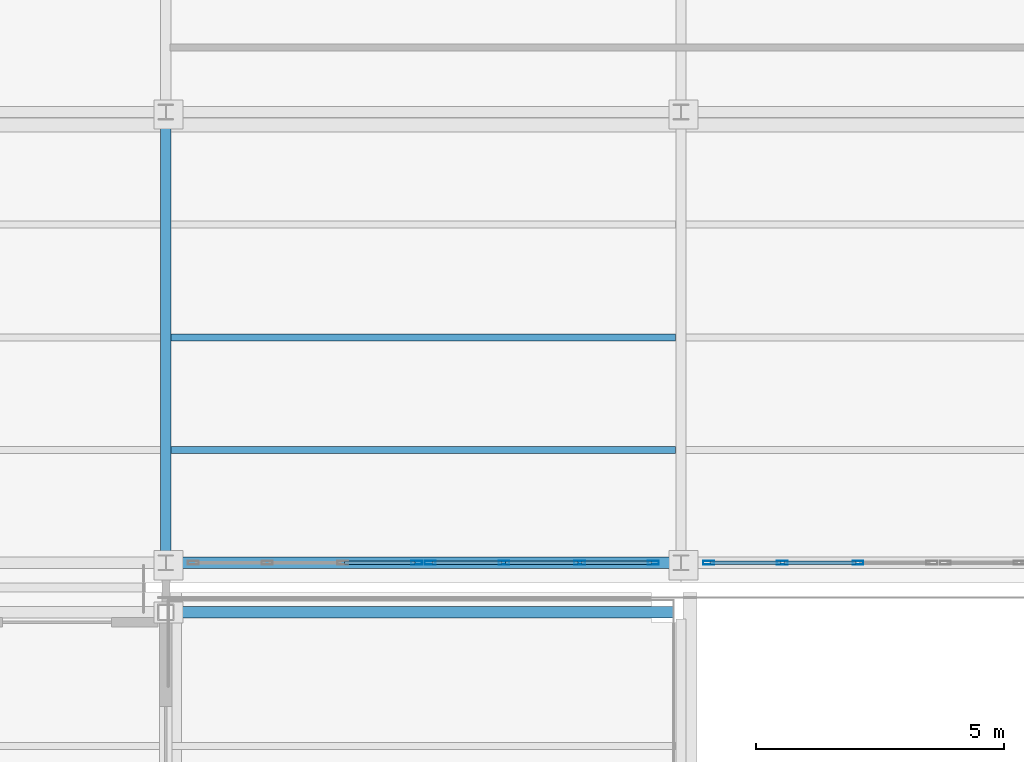
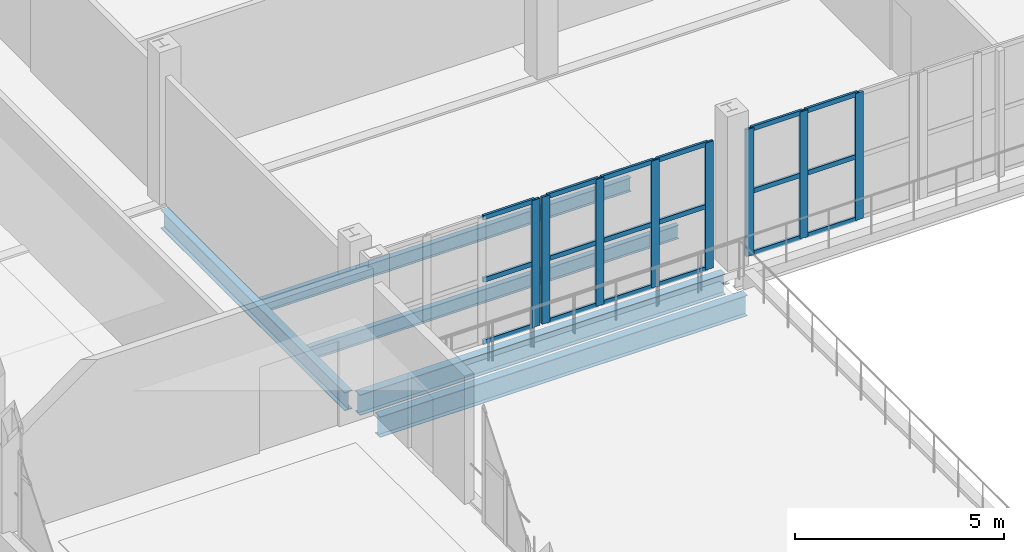
# One storey, part 86 of 156: 26 members, 5 beams, 3 elements without a shape of their own.
"""IFC4 building model written with IfcOpenShell, lengths in metres."""

from ifc_helpers import new_model, si_unit, direction, frame, origin, origin_2d, place, context, subcontext, project, spatial, hollow_rectangle, i_section, extrude, material, material_profile, profile_set, type_object, element, aggregate, save


model = new_model("IFC4")

# Units and contexts
model_context = context("Model", 3, precision=1e-05, world=origin(), true_north=direction((0.0, 1.0)))
body_context = subcontext(model_context, "Body", "Model", "MODEL_VIEW")
ifc_project = project(units=[si_unit("LENGTHUNIT", "METRE"), si_unit("AREAUNIT", "SQUARE_METRE"), si_unit("VOLUMEUNIT", "CUBIC_METRE"), si_unit("PLANEANGLEUNIT", "RADIAN"), si_unit("MASSUNIT", "GRAM", prefix="KILO")], contexts=[model_context])

# Site, building, storey
site_placement = place(None, origin())
site = spatial("IfcSite", under=ifc_project, at=site_placement, CompositionType="ELEMENT")
building_placement = place(site_placement, origin())
building = spatial("IfcBuilding", under=site, at=building_placement, Name="Caurita Quay Ferry Terminal", CompositionType="ELEMENT")
storey_placement = place(building_placement, frame((0.0, 0.0, 5.39990234375)))
storey = spatial("IfcBuildingStorey", under=building, at=storey_placement, Name="L01", CompositionType="ELEMENT", Elevation=5.39990234375)

# Beams
ifc_material_1 = material(Name="Structural steel ASTM A992 Gr. 50", Category="steel")
ifc_material_profile_1 = material_profile(ifc_material_1, i_section(OverallWidth=0.210693359375, OverallDepth=0.53857421875, WebThickness=0.01171875, FlangeThickness=0.018798828125, FilletRadius=0.013916015625, at=origin_2d()), Name="W21X73")
ifc_profile_set_1 = profile_set([ifc_material_profile_1], Name="Structural steel ASTM A992 Gr. 50")
beam_type_1 = type_object("IfcBeamType", Name="BM-GR-W21A", PredefinedType="BEAM", material=ifc_profile_set_1)
beam_1_placement = place(storey_placement, frame((142.800048828125, 34.75439453125, -0.504150390625), z_axis=(0.0, 1.0, 0.0), x_axis=(-1.0, 0.0, 0.0)))
element("IfcBeam", 1, at=beam_1_placement, inside=storey, type_object=beam_type_1, Name="L01 Beam BM-V3H-L01-Y-1428-348", PredefinedType="BEAM", context=body_context, shape_type="SweptSolid", body=[
    extrude(i_section(OverallWidth=0.210693359375, OverallDepth=0.53857421875, WebThickness=0.01171875, FlangeThickness=0.018798828125, FilletRadius=0.013916015625, at=origin_2d()), origin(), (0.0, 0.0, 1.0), 8.791259765625),
])
ifc_material_profile_2 = material_profile(ifc_material_1, i_section(OverallWidth=0.22802734375, OverallDepth=0.60205078125, WebThickness=0.010498046875, FlangeThickness=0.014892578125, at=origin_2d()), Name="W24X68")
ifc_profile_set_2 = profile_set([ifc_material_profile_2], Name="Structural steel ASTM A992 Gr. 50")
beam_type_2 = type_object("IfcBeamType", Name="BM-GR-W24C", PredefinedType="BEAM", material=ifc_profile_set_2)
beam_2_placement = place(storey_placement, frame((142.95751953125, 34.60009765625, -0.535888671875), z_axis=(1.0, 0.0, 0.0), x_axis=(0.0, 1.0, 0.0)))
element("IfcBeam", 2, at=beam_2_placement, inside=storey, type_object=beam_type_2, Name="L01 Beam BM-V3H-L01-X-1430-346", PredefinedType="BEAM", context=body_context, shape_type="SweptSolid", body=[
    extrude(i_section(OverallWidth=0.22802734375, OverallDepth=0.60205078125, WebThickness=0.010498046875, FlangeThickness=0.014892578125, at=origin_2d()), origin(), (0.0, 0.0, 1.0), 10.0849609375),
])
beam_3_placement = place(storey_placement, frame((142.929443359375, 33.60009765625, -0.560791015625), z_axis=(1.0, 0.0, 0.0), x_axis=(0.0, 1.0, 0.0)))
element("IfcBeam", 3, at=beam_3_placement, inside=storey, type_object=beam_type_2, Name="L01 Beam BM-V3P-L01-X-1429-336", PredefinedType="BEAM", context=body_context, shape_type="SweptSolid", body=[
    extrude(i_section(OverallWidth=0.22802734375, OverallDepth=0.60205078125, WebThickness=0.010498046875, FlangeThickness=0.014892578125, at=origin_2d()), origin(), (0.0, 0.0, 1.0), 10.14111328125),
])
ifc_material_profile_3 = material_profile(ifc_material_1, i_section(OverallWidth=0.139892578125, OverallDepth=0.39892578125, WebThickness=0.00634765625, FlangeThickness=0.0087890625, at=origin_2d()), Name="W16X26")
ifc_profile_set_3 = profile_set([ifc_material_profile_3], Name="Structural steel ASTM A992 Gr. 50")
beam_type_3 = type_object("IfcBeamType", Name="BM-JS-W16C", PredefinedType="JOIST", material=ifc_profile_set_3)
for number, where, z_axis, x_axis, name in (
    (4, (142.905517578125, 36.875, -0.434326171875), (1.0, 0.0, 0.0), (0.0, 1.0, 0.0), "L01 Beam JS-V3H-L01-012"),
    (5, (142.905517578125, 39.14990234375, -0.434326171875), (1.0, 0.0, 0.0), (0.0, 1.0, 0.0), "L01 Beam JS-V3H-L01-013"),
):
    element("IfcBeam", number, at=place(storey_placement, frame(where, z_axis=z_axis, x_axis=x_axis)), inside=storey, type_object=beam_type_3, Name=name, PredefinedType="JOIST", context=body_context, shape_type="SweptSolid", body=[
        extrude(i_section(OverallWidth=0.139892578125, OverallDepth=0.39892578125, WebThickness=0.00634765625, FlangeThickness=0.0087890625, at=origin_2d()), origin(), (0.0, 0.0, 1.0), 10.18896484375),
    ])

# Curtain wall, member
ifc_material_2 = material(Name="Laminated solar-control insulated glass", Category="glass")
curtain_wall_type = type_object("IfcCurtainWallType", Name="CW-SYS-10", PredefinedType="NOTDEFINED", material=ifc_material_2)
curtain_wall_1_placement = place(storey_placement, origin())
curtain_wall_1 = element("IfcCurtainWall", 6, at=curtain_wall_1_placement, inside=storey, type_object=curtain_wall_type, Name="V3 Waterside Concourse Curtain Wall 073", PredefinedType="NOTDEFINED")
ifc_material_3 = material(Name="Anodized aluminium 6063-T6", Category="aluminium")
ifc_material_profile_4 = material_profile(ifc_material_3, hollow_rectangle(XDim=0.074951171875, YDim=0.219970703125, WallThickness=0.00390625, at=origin_2d()), Name="ALU-MUL-75X220")
ifc_profile_set_4 = profile_set([ifc_material_profile_4], Name="Anodized aluminium 6063-T6")
member_type_1 = type_object("IfcMemberType", Name="CW-MUL-220", PredefinedType="MULLION", material=ifc_profile_set_4)
member_1_placement = place(storey_placement, frame((147.862548828125, 34.60009765625, 0.0), z_axis=(0.0, 0.0, 1.0), x_axis=(0.0, 1.0, 0.0)))
member_1 = element("IfcMember", 7, at=member_1_placement, type_object=member_type_1, Name="CW-SEA-073 Mullion 4", PredefinedType="MULLION", context=body_context, shape_type="SweptSolid", body=[
    extrude(hollow_rectangle(XDim=0.074951171875, YDim=0.219970703125, WallThickness=0.00390625, at=origin_2d()), origin(), (0.0, 0.0, 1.0), 3.7001953125),
])

# Curtain wall, members
curtain_wall_2_placement = place(storey_placement, origin())
curtain_wall_2 = element("IfcCurtainWall", 8, at=curtain_wall_2_placement, inside=storey, type_object=curtain_wall_type, Name="V3 Waterside Concourse Curtain Wall 074", PredefinedType="NOTDEFINED")
member_2_placement = place(storey_placement, frame((148.137451171875, 34.60009765625, 0.0), z_axis=(0.0, 0.0, 1.0), x_axis=(0.0, 1.0, 0.0)))
member_2 = element("IfcMember", 9, at=member_2_placement, type_object=member_type_1, Name="CW-SEA-074 Mullion 1", PredefinedType="MULLION", context=body_context, shape_type="SweptSolid", body=[
    extrude(hollow_rectangle(XDim=0.074951171875, YDim=0.219970703125, WallThickness=0.00390625, at=origin_2d()), origin(), (0.0, 0.0, 1.0), 3.7001953125),
])
member_3_placement = place(storey_placement, frame((149.626708984375, 34.60009765625, 0.0), z_axis=(0.0, 0.0, 1.0), x_axis=(0.0, 1.0, 0.0)))
member_3 = element("IfcMember", 10, at=member_3_placement, type_object=member_type_1, Name="CW-SEA-074 Mullion 2", PredefinedType="MULLION", context=body_context, shape_type="SweptSolid", body=[
    extrude(hollow_rectangle(XDim=0.074951171875, YDim=0.219970703125, WallThickness=0.00390625, at=origin_2d()), origin(), (0.0, 0.0, 1.0), 3.7001953125),
])
member_4_placement = place(storey_placement, frame((151.1533203125, 34.60009765625, 0.0), z_axis=(0.0, 0.0, 1.0), x_axis=(0.0, 1.0, 0.0)))
member_4 = element("IfcMember", 11, at=member_4_placement, type_object=member_type_1, Name="CW-SEA-074 Mullion 3", PredefinedType="MULLION", context=body_context, shape_type="SweptSolid", body=[
    extrude(hollow_rectangle(XDim=0.074951171875, YDim=0.219970703125, WallThickness=0.00390625, at=origin_2d()), origin(), (0.0, 0.0, 1.0), 3.7001953125),
])
member_5_placement = place(storey_placement, frame((152.642578125, 34.60009765625, 0.0), z_axis=(0.0, 0.0, 1.0), x_axis=(0.0, 1.0, 0.0)))
member_5 = element("IfcMember", 12, at=member_5_placement, type_object=member_type_1, Name="CW-SEA-074 Mullion 4", PredefinedType="MULLION", context=body_context, shape_type="SweptSolid", body=[
    extrude(hollow_rectangle(XDim=0.074951171875, YDim=0.219970703125, WallThickness=0.00390625, at=origin_2d()), origin(), (0.0, 0.0, 1.0), 3.7001953125),
])

curtain_wall_3_placement = place(storey_placement, origin())
curtain_wall_3 = element("IfcCurtainWall", 13, at=curtain_wall_3_placement, inside=storey, type_object=curtain_wall_type, Name="V3 Waterside Concourse Curtain Wall 075", PredefinedType="NOTDEFINED")
member_6_placement = place(storey_placement, frame((153.757568359375, 34.60009765625, 0.0), z_axis=(0.0, 0.0, 1.0), x_axis=(0.0, 1.0, 0.0)))
member_6 = element("IfcMember", 14, at=member_6_placement, type_object=member_type_1, Name="CW-SEA-075 Mullion 1", PredefinedType="MULLION", context=body_context, shape_type="SweptSolid", body=[
    extrude(hollow_rectangle(XDim=0.074951171875, YDim=0.219970703125, WallThickness=0.00390625, at=origin_2d()), origin(), (0.0, 0.0, 1.0), 3.7001953125),
])
member_7_placement = place(storey_placement, frame((155.24658203125, 34.60009765625, 0.0), z_axis=(0.0, 0.0, 1.0), x_axis=(0.0, 1.0, 0.0)))
member_7 = element("IfcMember", 15, at=member_7_placement, type_object=member_type_1, Name="CW-SEA-075 Mullion 2", PredefinedType="MULLION", context=body_context, shape_type="SweptSolid", body=[
    extrude(hollow_rectangle(XDim=0.074951171875, YDim=0.219970703125, WallThickness=0.00390625, at=origin_2d()), origin(), (0.0, 0.0, 1.0), 3.7001953125),
])
member_8_placement = place(storey_placement, frame((156.773193359375, 34.60009765625, 0.0), z_axis=(0.0, 0.0, 1.0), x_axis=(0.0, 1.0, 0.0)))
member_8 = element("IfcMember", 16, at=member_8_placement, type_object=member_type_1, Name="CW-SEA-075 Mullion 3", PredefinedType="MULLION", context=body_context, shape_type="SweptSolid", body=[
    extrude(hollow_rectangle(XDim=0.074951171875, YDim=0.219970703125, WallThickness=0.00390625, at=origin_2d()), origin(), (0.0, 0.0, 1.0), 3.7001953125),
])

# Member
ifc_material_profile_5 = material_profile(ifc_material_3, hollow_rectangle(XDim=0.06494140625, YDim=0.135009765625, WallThickness=0.00341796875, at=origin_2d()), Name="ALU-TRN-65X135")
ifc_profile_set_5 = profile_set([ifc_material_profile_5], Name="Anodized aluminium 6063-T6")
member_type_2 = type_object("IfcMemberType", Name="CW-TRN-135", PredefinedType="USERDEFINED", material=ifc_profile_set_5)
member_9_placement = place(storey_placement, frame((146.40869140625, 34.60009765625, 0.03271484375), z_axis=(1.0, 0.0, 0.0), x_axis=(0.0, 1.0, 0.0)))
member_9 = element("IfcMember", 17, at=member_9_placement, type_object=member_type_2, Name="CW-SEA-073 Transom 7", ObjectType="TRANSOM", PredefinedType="USERDEFINED", context=body_context, shape_type="SweptSolid", body=[
    extrude(hollow_rectangle(XDim=0.06494140625, YDim=0.135009765625, WallThickness=0.00341796875, at=origin_2d()), origin(), (0.0, 0.0, 1.0), 1.418212890625),
])

member_10_placement = place(storey_placement, frame((146.40869140625, 34.60009765625, 1.85009765625), z_axis=(1.0, 0.0, 0.0), x_axis=(0.0, 1.0, 0.0)))
member_10 = element("IfcMember", 18, at=member_10_placement, type_object=member_type_2, Name="CW-SEA-073 Transom 8", ObjectType="TRANSOM", PredefinedType="USERDEFINED", context=body_context, shape_type="SweptSolid", body=[
    extrude(hollow_rectangle(XDim=0.06494140625, YDim=0.135009765625, WallThickness=0.00341796875, at=origin_2d()), origin(), (0.0, 0.0, 1.0), 1.418212890625),
])

member_11_placement = place(storey_placement, frame((146.40869140625, 34.60009765625, 3.66748046875), z_axis=(1.0, 0.0, 0.0), x_axis=(0.0, 1.0, 0.0)))
member_11 = element("IfcMember", 19, at=member_11_placement, type_object=member_type_2, Name="CW-SEA-073 Transom 9", ObjectType="TRANSOM", PredefinedType="USERDEFINED", context=body_context, shape_type="SweptSolid", body=[
    extrude(hollow_rectangle(XDim=0.06494140625, YDim=0.135009765625, WallThickness=0.00341796875, at=origin_2d()), origin(), (0.0, 0.0, 1.0), 1.418212890625),
])

aggregate(curtain_wall_1, [member_1, member_9, member_10, member_11])

member_12_placement = place(storey_placement, frame((148.173095703125, 34.60009765625, 0.03271484375), z_axis=(1.0, 0.0, 0.0), x_axis=(0.0, 1.0, 0.0)))
member_12 = element("IfcMember", 20, at=member_12_placement, type_object=member_type_2, Name="CW-SEA-074 Transom 1", ObjectType="TRANSOM", PredefinedType="USERDEFINED", context=body_context, shape_type="SweptSolid", body=[
    extrude(hollow_rectangle(XDim=0.06494140625, YDim=0.135009765625, WallThickness=0.00341796875, at=origin_2d()), origin(), (0.0, 0.0, 1.0), 1.418212890625),
])

member_13_placement = place(storey_placement, frame((148.173095703125, 34.60009765625, 1.85009765625), z_axis=(1.0, 0.0, 0.0), x_axis=(0.0, 1.0, 0.0)))
member_13 = element("IfcMember", 21, at=member_13_placement, type_object=member_type_2, Name="CW-SEA-074 Transom 2", ObjectType="TRANSOM", PredefinedType="USERDEFINED", context=body_context, shape_type="SweptSolid", body=[
    extrude(hollow_rectangle(XDim=0.06494140625, YDim=0.135009765625, WallThickness=0.00341796875, at=origin_2d()), origin(), (0.0, 0.0, 1.0), 1.418212890625),
])

member_14_placement = place(storey_placement, frame((148.173095703125, 34.60009765625, 3.66748046875), z_axis=(1.0, 0.0, 0.0), x_axis=(0.0, 1.0, 0.0)))
member_14 = element("IfcMember", 22, at=member_14_placement, type_object=member_type_2, Name="CW-SEA-074 Transom 3", ObjectType="TRANSOM", PredefinedType="USERDEFINED", context=body_context, shape_type="SweptSolid", body=[
    extrude(hollow_rectangle(XDim=0.06494140625, YDim=0.135009765625, WallThickness=0.00341796875, at=origin_2d()), origin(), (0.0, 0.0, 1.0), 1.418212890625),
])

member_15_placement = place(storey_placement, frame((149.662109375, 34.60009765625, 0.03271484375), z_axis=(1.0, 0.0, 0.0), x_axis=(0.0, 1.0, 0.0)))
member_15 = element("IfcMember", 23, at=member_15_placement, type_object=member_type_2, Name="CW-SEA-074 Transom 4", ObjectType="TRANSOM", PredefinedType="USERDEFINED", context=body_context, shape_type="SweptSolid", body=[
    extrude(hollow_rectangle(XDim=0.06494140625, YDim=0.135009765625, WallThickness=0.00341796875, at=origin_2d()), origin(), (0.0, 0.0, 1.0), 1.455810546875),
])

member_16_placement = place(storey_placement, frame((149.662109375, 34.60009765625, 1.85009765625), z_axis=(1.0, 0.0, 0.0), x_axis=(0.0, 1.0, 0.0)))
member_16 = element("IfcMember", 24, at=member_16_placement, type_object=member_type_2, Name="CW-SEA-074 Transom 5", ObjectType="TRANSOM", PredefinedType="USERDEFINED", context=body_context, shape_type="SweptSolid", body=[
    extrude(hollow_rectangle(XDim=0.06494140625, YDim=0.135009765625, WallThickness=0.00341796875, at=origin_2d()), origin(), (0.0, 0.0, 1.0), 1.455810546875),
])

member_17_placement = place(storey_placement, frame((149.662109375, 34.60009765625, 3.66748046875), z_axis=(1.0, 0.0, 0.0), x_axis=(0.0, 1.0, 0.0)))
member_17 = element("IfcMember", 25, at=member_17_placement, type_object=member_type_2, Name="CW-SEA-074 Transom 6", ObjectType="TRANSOM", PredefinedType="USERDEFINED", context=body_context, shape_type="SweptSolid", body=[
    extrude(hollow_rectangle(XDim=0.06494140625, YDim=0.135009765625, WallThickness=0.00341796875, at=origin_2d()), origin(), (0.0, 0.0, 1.0), 1.455810546875),
])

member_18_placement = place(storey_placement, frame((151.188720703125, 34.60009765625, 0.03271484375), z_axis=(1.0, 0.0, 0.0), x_axis=(0.0, 1.0, 0.0)))
member_18 = element("IfcMember", 26, at=member_18_placement, type_object=member_type_2, Name="CW-SEA-074 Transom 7", ObjectType="TRANSOM", PredefinedType="USERDEFINED", context=body_context, shape_type="SweptSolid", body=[
    extrude(hollow_rectangle(XDim=0.06494140625, YDim=0.135009765625, WallThickness=0.00341796875, at=origin_2d()), origin(), (0.0, 0.0, 1.0), 1.418212890625),
])

member_19_placement = place(storey_placement, frame((151.188720703125, 34.60009765625, 1.85009765625), z_axis=(1.0, 0.0, 0.0), x_axis=(0.0, 1.0, 0.0)))
member_19 = element("IfcMember", 27, at=member_19_placement, type_object=member_type_2, Name="CW-SEA-074 Transom 8", ObjectType="TRANSOM", PredefinedType="USERDEFINED", context=body_context, shape_type="SweptSolid", body=[
    extrude(hollow_rectangle(XDim=0.06494140625, YDim=0.135009765625, WallThickness=0.00341796875, at=origin_2d()), origin(), (0.0, 0.0, 1.0), 1.418212890625),
])

member_20_placement = place(storey_placement, frame((151.188720703125, 34.60009765625, 3.66748046875), z_axis=(1.0, 0.0, 0.0), x_axis=(0.0, 1.0, 0.0)))
member_20 = element("IfcMember", 28, at=member_20_placement, type_object=member_type_2, Name="CW-SEA-074 Transom 9", ObjectType="TRANSOM", PredefinedType="USERDEFINED", context=body_context, shape_type="SweptSolid", body=[
    extrude(hollow_rectangle(XDim=0.06494140625, YDim=0.135009765625, WallThickness=0.00341796875, at=origin_2d()), origin(), (0.0, 0.0, 1.0), 1.418212890625),
])

aggregate(curtain_wall_2, [member_2, member_3, member_4, member_5, member_12, member_13, member_14, member_15, member_16, member_17, member_18, member_19, member_20])

member_21_placement = place(storey_placement, frame((153.79296875, 34.60009765625, 0.03271484375), z_axis=(1.0, 0.0, 0.0), x_axis=(0.0, 1.0, 0.0)))
member_21 = element("IfcMember", 29, at=member_21_placement, type_object=member_type_2, Name="CW-SEA-075 Transom 1", ObjectType="TRANSOM", PredefinedType="USERDEFINED", context=body_context, shape_type="SweptSolid", body=[
    extrude(hollow_rectangle(XDim=0.06494140625, YDim=0.135009765625, WallThickness=0.00341796875, at=origin_2d()), origin(), (0.0, 0.0, 1.0), 1.418212890625),
])

member_22_placement = place(storey_placement, frame((153.79296875, 34.60009765625, 1.85009765625), z_axis=(1.0, 0.0, 0.0), x_axis=(0.0, 1.0, 0.0)))
member_22 = element("IfcMember", 30, at=member_22_placement, type_object=member_type_2, Name="CW-SEA-075 Transom 2", ObjectType="TRANSOM", PredefinedType="USERDEFINED", context=body_context, shape_type="SweptSolid", body=[
    extrude(hollow_rectangle(XDim=0.06494140625, YDim=0.135009765625, WallThickness=0.00341796875, at=origin_2d()), origin(), (0.0, 0.0, 1.0), 1.418212890625),
])

member_23_placement = place(storey_placement, frame((153.79296875, 34.60009765625, 3.66748046875), z_axis=(1.0, 0.0, 0.0), x_axis=(0.0, 1.0, 0.0)))
member_23 = element("IfcMember", 31, at=member_23_placement, type_object=member_type_2, Name="CW-SEA-075 Transom 3", ObjectType="TRANSOM", PredefinedType="USERDEFINED", context=body_context, shape_type="SweptSolid", body=[
    extrude(hollow_rectangle(XDim=0.06494140625, YDim=0.135009765625, WallThickness=0.00341796875, at=origin_2d()), origin(), (0.0, 0.0, 1.0), 1.418212890625),
])

member_24_placement = place(storey_placement, frame((155.2822265625, 34.60009765625, 0.03271484375), z_axis=(1.0, 0.0, 0.0), x_axis=(0.0, 1.0, 0.0)))
member_24 = element("IfcMember", 32, at=member_24_placement, type_object=member_type_2, Name="CW-SEA-075 Transom 4", ObjectType="TRANSOM", PredefinedType="USERDEFINED", context=body_context, shape_type="SweptSolid", body=[
    extrude(hollow_rectangle(XDim=0.06494140625, YDim=0.135009765625, WallThickness=0.00341796875, at=origin_2d()), origin(), (0.0, 0.0, 1.0), 1.45556640625),
])

member_25_placement = place(storey_placement, frame((155.2822265625, 34.60009765625, 1.85009765625), z_axis=(1.0, 0.0, 0.0), x_axis=(0.0, 1.0, 0.0)))
member_25 = element("IfcMember", 33, at=member_25_placement, type_object=member_type_2, Name="CW-SEA-075 Transom 5", ObjectType="TRANSOM", PredefinedType="USERDEFINED", context=body_context, shape_type="SweptSolid", body=[
    extrude(hollow_rectangle(XDim=0.06494140625, YDim=0.135009765625, WallThickness=0.00341796875, at=origin_2d()), origin(), (0.0, 0.0, 1.0), 1.45556640625),
])

member_26_placement = place(storey_placement, frame((155.2822265625, 34.60009765625, 3.66748046875), z_axis=(1.0, 0.0, 0.0), x_axis=(0.0, 1.0, 0.0)))
member_26 = element("IfcMember", 34, at=member_26_placement, type_object=member_type_2, Name="CW-SEA-075 Transom 6", ObjectType="TRANSOM", PredefinedType="USERDEFINED", context=body_context, shape_type="SweptSolid", body=[
    extrude(hollow_rectangle(XDim=0.06494140625, YDim=0.135009765625, WallThickness=0.00341796875, at=origin_2d()), origin(), (0.0, 0.0, 1.0), 1.45556640625),
])

aggregate(curtain_wall_3, [member_6, member_7, member_8, member_21, member_22, member_23, member_24, member_25, member_26])

save(model, "model.ifc")
